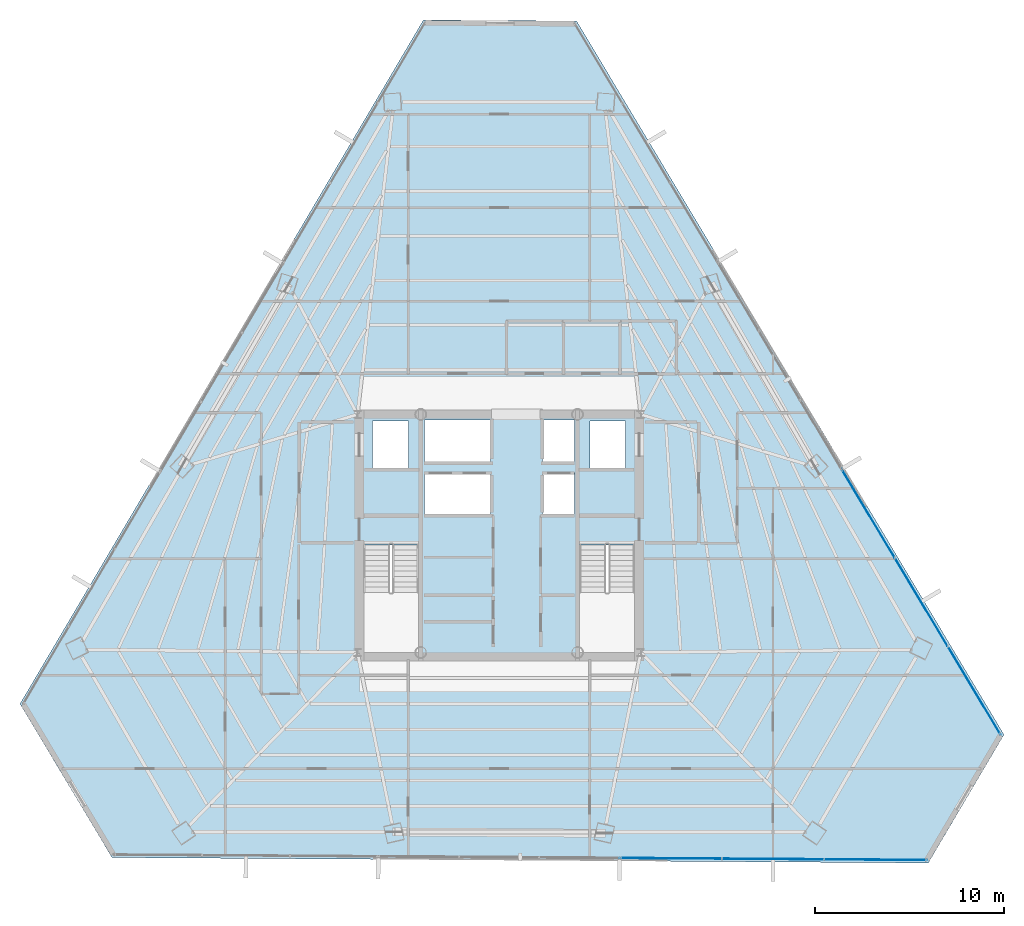
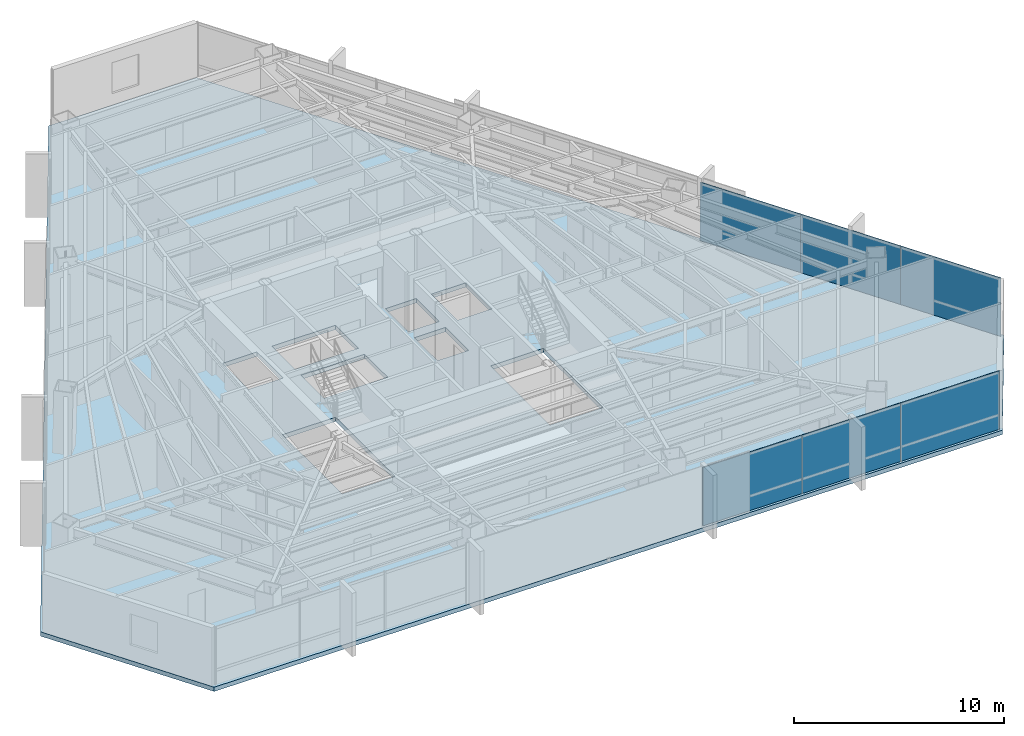
# One storey, part 34 of 41: 6 plates, 1 slab, 2 elements without a shape of their own.
"""IFC4 building model written with IfcOpenShell, lengths in metres."""

from ifc_helpers import new_model, si_unit, direction, frame, origin, origin_2d, place, context, subcontext, project, spatial, polyline, rectangle, outline, extrude, source, transform, mapped, material, layer, layer_set, type_object, type_shapes, element, aggregate, save


model = new_model("IFC4")

# Units and contexts
model_context = context("Model", 3, precision=1e-05, world=origin(), true_north=direction((0.0, 1.0)))
body_context = subcontext(model_context, "Body", "Model", "MODEL_VIEW")
ifc_project = project(units=[si_unit("LENGTHUNIT", "METRE"), si_unit("AREAUNIT", "SQUARE_METRE"), si_unit("VOLUMEUNIT", "CUBIC_METRE"), si_unit("PLANEANGLEUNIT", "RADIAN"), si_unit("MASSUNIT", "GRAM", prefix="KILO")], contexts=[model_context])

# Site, building, storey
site_placement = place(None, origin())
site = spatial("IfcSite", under=ifc_project, at=site_placement, CompositionType="ELEMENT")
building_placement = place(site_placement, origin())
building = spatial("IfcBuilding", under=site, at=building_placement, Name="Caelisora Broadcast Tower", CompositionType="ELEMENT")
storey_placement = place(building_placement, frame((0.0, 0.0, 180.39990234375)))
storey = spatial("IfcBuildingStorey", under=building, at=storey_placement, Name="L47", CompositionType="ELEMENT", Elevation=180.39990234375)

# Slab
ifc_material_1 = material(Name="Concrete 40 MPa (AS 3600 N40)", Category="concrete")
ifc_layer_1 = layer(ifc_material_1, 0.25, Name="Concrete 40 MPa (AS 3600 N40)")
ifc_layer_set_1 = layer_set([ifc_layer_1], Name="Concrete 40 MPa (AS 3600 N40)")
slab_type = type_object("IfcSlabType", Name="SL04", PredefinedType="FLOOR", material=ifc_layer_set_1)
slab_placement = place(storey_placement, frame((0.0, 0.0, -0.25)))
element("IfcSlab", 1, at=slab_placement, inside=storey, type_object=slab_type, Name="L47 suspended floor SL04", PredefinedType="FLOOR", context=body_context, shape_type="SweptSolid", body=[
    extrude(outline(polyline([(42.10107421875, 50.830078125), (33.992919921875, 50.884033203125), (12.634033203125, 14.676025390625), (17.5048828125, 6.5419921875), (60.72412109375, 6.25390625), (64.73095703125, 13.0458984375), (42.10107421875, 50.830078125)]), holes=[polyline([(30.820068359375, 17.39990234375), (33.739990234375, 17.39990234375), (33.739990234375, 23.080078125), (30.820068359375, 23.080078125), (30.820068359375, 17.39990234375)]), polyline([(42.260009765625, 17.39990234375), (45.179931640625, 17.39990234375), (45.179931640625, 23.080078125), (42.260009765625, 23.080078125), (42.260009765625, 17.39990234375)]), polyline([(42.800048828125, 27.14990234375), (44.699951171875, 27.14990234375), (44.699951171875, 29.64990234375), (42.800048828125, 29.64990234375), (42.800048828125, 27.14990234375)]), polyline([(40.300048828125, 24.719970703125), (42.0, 24.719970703125), (42.0, 26.919921875), (40.300048828125, 26.919921875), (40.300048828125, 24.719970703125)]), polyline([(40.300048828125, 27.5), (42.0, 27.5), (42.0, 29.699951171875), (40.300048828125, 29.699951171875), (40.300048828125, 27.5)]), polyline([(34.050048828125, 24.719970703125), (37.550048828125, 24.719970703125), (37.550048828125, 26.919921875), (34.050048828125, 26.919921875), (34.050048828125, 24.719970703125)]), polyline([(34.050048828125, 27.5), (37.550048828125, 27.5), (37.550048828125, 29.699951171875), (34.050048828125, 29.699951171875), (34.050048828125, 27.5)]), polyline([(31.300048828125, 27.14990234375), (33.199951171875, 27.14990234375), (33.199951171875, 29.64990234375), (31.300048828125, 29.64990234375), (31.300048828125, 27.14990234375)])]), origin(), (0.0, 0.0, 1.0), 0.25),
])

# Curtain wall, plates
ifc_material_2 = material(Name="Unitised Aluminium and Low-E Glass Curtain Wall", Category="glass")
curtain_wall_type = type_object("IfcCurtainWallType", Name="CW-Z3", PredefinedType="NOTDEFINED", material=ifc_material_2)
curtain_wall_1_placement = place(storey_placement, origin())
curtain_wall_1 = element("IfcCurtainWall", 2, at=curtain_wall_1_placement, inside=storey, type_object=curtain_wall_type, Name="L47 curtain wall CW-Z3", PredefinedType="NOTDEFINED")
ifc_material_3 = material(Name="Double Glazed Low-E Argon IGU", Category="glass")
ifc_layer_2 = layer(ifc_material_3, 0.031982421875, Name="Double Glazed Low-E Argon IGU")
ifc_layer_set_2 = layer_set([ifc_layer_2], Name="Double Glazed Low-E Argon IGU")
plate_type = type_object("IfcPlateType", Name="CWP-04", PredefinedType="CURTAIN_PANEL", material=ifc_layer_set_2)
shared_shape_1 = source(origin(), body_context, "Body", "SweptSolid", [
    extrude(rectangle(XDim=5.4638671875, YDim=0.031982421875, at=origin_2d()), origin(), (0.0, 0.0, 1.0), 3.39990234375),
])
plate_1_placement = place(storey_placement, frame((57.538330078125, 24.763671875, 0.000244140625), z_axis=(0.0, 0.0, 1.0), x_axis=(0.513840741921, -0.857885593737, 0.0)))
plate_1 = element("IfcPlate", 3, at=plate_1_placement, type_object=plate_type, Name="L47-CW-B03 glazed panel #1", PredefinedType="CURTAIN_PANEL", context=body_context, shape_type="MappedRepresentation", body=[
    mapped(shared_shape_1, transform((0.0, 0.0, 0.0), scale=1.0)),
])
plate_2_placement = place(storey_placement, frame((60.345703125, 20.076171875, 0.000244140625), z_axis=(0.0, 0.0, 1.0), x_axis=(0.513840741921, -0.857885593737, 0.0)))
plate_2 = element("IfcPlate", 4, at=plate_2_placement, type_object=plate_type, Name="L47-CW-B03 glazed panel #2", PredefinedType="CURTAIN_PANEL", context=body_context, shape_type="MappedRepresentation", body=[
    mapped(shared_shape_1, transform((0.0, 0.0, 0.0), scale=1.0)),
])
plate_3_placement = place(storey_placement, frame((63.1533203125, 15.388671875, 0.000244140625), z_axis=(0.0, 0.0, 1.0), x_axis=(0.513840741921, -0.857885593737, 0.0)))
plate_3 = element("IfcPlate", 5, at=plate_3_placement, type_object=plate_type, Name="L47-CW-B03 glazed panel #3", PredefinedType="CURTAIN_PANEL", context=body_context, shape_type="MappedRepresentation", body=[
    mapped(shared_shape_1, transform((0.0, 0.0, 0.0), scale=1.0)),
])
aggregate(curtain_wall_1, [plate_1, plate_2, plate_3])

curtain_wall_2_placement = place(storey_placement, origin())
curtain_wall_2 = element("IfcCurtainWall", 6, at=curtain_wall_2_placement, inside=storey, type_object=curtain_wall_type, Name="L47 curtain wall CW-Z3", PredefinedType="NOTDEFINED")
shared_shape_2 = source(origin(), body_context, "Body", "SweptSolid", [
    extrude(rectangle(XDim=5.418212890625, YDim=0.031982421875, at=origin_2d()), origin(), (0.0, 0.0, 1.0), 3.39990234375),
])
type_shapes(plate_type, [shared_shape_1, shared_shape_2])
plate_4_placement = place(storey_placement, frame((57.929931640625, 6.423095703125, 0.000244140625), z_axis=(0.0, 0.0, 1.0), x_axis=(-0.999978006703, 0.006632202536, 0.0)))
plate_4 = element("IfcPlate", 7, at=plate_4_placement, type_object=plate_type, Name="L47-CW-B05 glazed panel #1", PredefinedType="CURTAIN_PANEL", context=body_context, shape_type="MappedRepresentation", body=[
    mapped(shared_shape_2, transform((0.0, 0.0, 0.0), scale=1.0)),
])
plate_5_placement = place(storey_placement, frame((52.51171875, 6.458984375, 0.000244140625), z_axis=(0.0, 0.0, 1.0), x_axis=(-0.999978006703, 0.006632202536, 0.0)))
plate_5 = element("IfcPlate", 8, at=plate_5_placement, type_object=plate_type, Name="L47-CW-B05 glazed panel #2", PredefinedType="CURTAIN_PANEL", context=body_context, shape_type="MappedRepresentation", body=[
    mapped(shared_shape_2, transform((0.0, 0.0, 0.0), scale=1.0)),
])
plate_6_placement = place(storey_placement, frame((47.09375, 6.4951171875, 0.000244140625), z_axis=(0.0, 0.0, 1.0), x_axis=(-0.999978006703, 0.006632202536, 0.0)))
plate_6 = element("IfcPlate", 9, at=plate_6_placement, type_object=plate_type, Name="L47-CW-B05 glazed panel #3", PredefinedType="CURTAIN_PANEL", context=body_context, shape_type="MappedRepresentation", body=[
    mapped(shared_shape_2, transform((0.0, 0.0, 0.0), scale=1.0)),
])
aggregate(curtain_wall_2, [plate_4, plate_5, plate_6])

save(model, "model.ifc")
